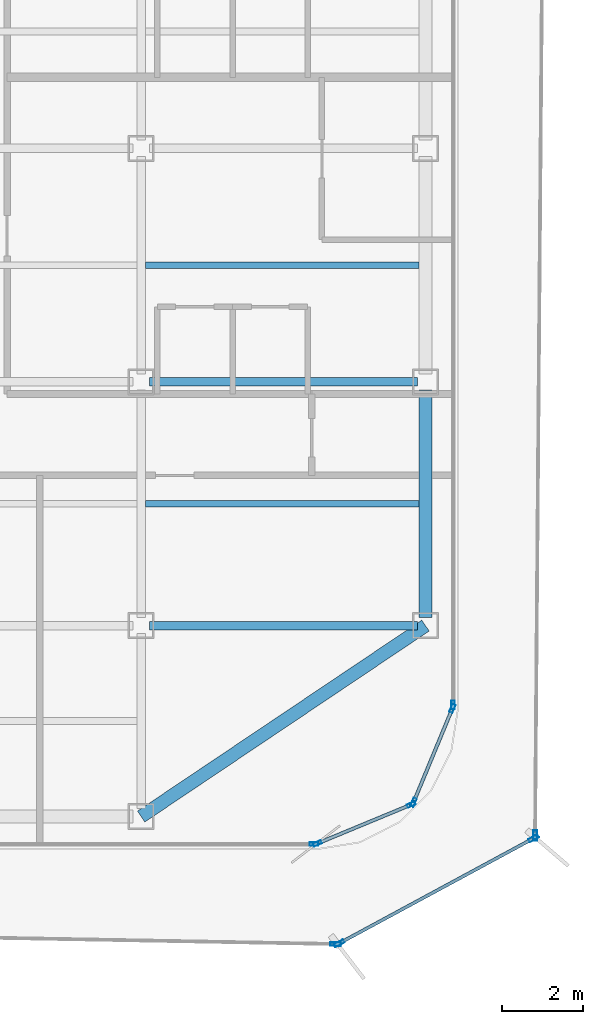
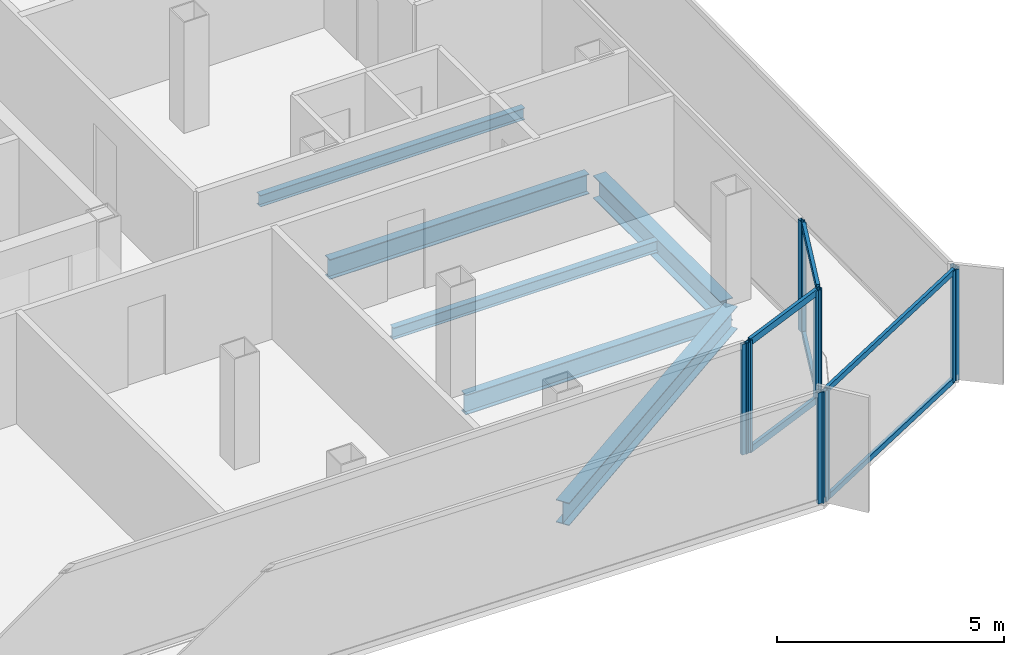
# One storey, part 4 of 15: 16 members, 6 beams, 7 elements without a shape of their own.
"""IFC4 building model written with IfcOpenShell, lengths in metres."""

from ifc_helpers import new_model, si_unit, direction, frame, origin, origin_2d, place, context, subcontext, project, spatial, hollow_rectangle, i_section, extrude, source, transform, mapped, material, layer, layer_set, material_profile, profile_set, type_object, element, aggregate, save


model = new_model("IFC4")

# Units and contexts
model_context = context("Model", 3, precision=1e-05, world=origin(), true_north=direction((0.0, 1.0)))
body_context = subcontext(model_context, "Body", "Model", "MODEL_VIEW")
ifc_project = project(units=[si_unit("LENGTHUNIT", "METRE"), si_unit("AREAUNIT", "SQUARE_METRE"), si_unit("VOLUMEUNIT", "CUBIC_METRE"), si_unit("PLANEANGLEUNIT", "RADIAN"), si_unit("MASSUNIT", "GRAM", prefix="KILO")], contexts=[model_context])

# Site, building, storey
site_placement = place(None, origin())
site = spatial("IfcSite", under=ifc_project, at=site_placement, CompositionType="ELEMENT")
building_placement = place(site_placement, origin())
building = spatial("IfcBuilding", under=site, at=building_placement, Name="Kolveth Station Tower", CompositionType="ELEMENT")
storey_placement = place(building_placement, frame((0.0, 0.0, 245.699951171875)))
storey = spatial("IfcBuildingStorey", under=building, at=storey_placement, Name="L70", CompositionType="ELEMENT", Elevation=245.699951171875)

# Beams
ifc_material_1 = material(Name="Steel S355", Category="steel")
ifc_material_profile_1 = material_profile(ifc_material_1, i_section(OverallWidth=0.323974609375, OverallDepth=0.611083984375, WebThickness=0.0126953125, FlangeThickness=0.01904296875, at=origin_2d()), Name="W610x155")
ifc_profile_set_1 = profile_set([ifc_material_profile_1], Name="Steel S355")
beam_type_1 = type_object("IfcBeamType", Name="Beam_SP2", PredefinedType="SPANDREL", material=ifc_profile_set_1)
shared_shape_1 = source(origin(), body_context, "Body", "SweptSolid", [
    extrude(i_section(OverallWidth=0.323974609375, OverallDepth=0.611083984375, WebThickness=0.0126953125, FlangeThickness=0.01904296875, at=origin_2d()), origin(), (0.0, 0.0, 1.0), 8.431396484375),
])
beam_1_placement = place(storey_placement, frame((34.0, 0.800048828125, -0.525390625), z_axis=(0.830223811004, 0.557430196206, 0.0), x_axis=(-0.557430196206, 0.830223811004, 0.0)))
element("IfcBeam", 1, at=beam_1_placement, inside=storey, type_object=beam_type_1, Name="L70 Corner Edge Girder BM-L70-CNR-SE", PredefinedType="SPANDREL", context=body_context, shape_type="MappedRepresentation", body=[
    mapped(shared_shape_1, transform((0.0, 0.0, 0.0), x_axis=(1.0, 0.0, 0.0), y_axis=(0.0, 1.0, 0.0), z_axis=(0.0, 0.0, 1.0), scale=1.0)),
])
shared_shape_2 = source(origin(), body_context, "Body", "SweptSolid", [
    extrude(i_section(OverallWidth=0.323974609375, OverallDepth=0.611083984375, WebThickness=0.0126953125, FlangeThickness=0.01904296875, at=origin_2d()), origin(), (0.0, 0.0, 1.0), 5.60009765625),
])
beam_2_placement = place(storey_placement, frame((41.0, 5.699951171875, -0.525390625), z_axis=(0.0, 1.0, 0.0), x_axis=(-1.0, 0.0, 0.0)))
element("IfcBeam", 2, at=beam_2_placement, inside=storey, type_object=beam_type_1, Name="L70 Perimeter Spandrel BM-L70-PE-1", PredefinedType="SPANDREL", context=body_context, shape_type="MappedRepresentation", body=[
    mapped(shared_shape_2, transform((0.0, 0.0, 0.0), x_axis=(1.0, 0.0, 0.0), y_axis=(0.0, 1.0, 0.0), z_axis=(0.0, 0.0, 1.0), scale=1.0)),
])
ifc_material_profile_2 = material_profile(ifc_material_1, i_section(OverallWidth=0.2099609375, OverallDepth=0.537109375, WebThickness=0.010986328125, FlangeThickness=0.017333984375, at=origin_2d()), Name="W530x101")
ifc_profile_set_2 = profile_set([ifc_material_profile_2], Name="Steel S355")
beam_type_2 = type_object("IfcBeamType", Name="Beam_B6", PredefinedType="BEAM", material=ifc_profile_set_2)
shared_shape_3 = source(origin(), body_context, "Body", "SweptSolid", [
    extrude(i_section(OverallWidth=0.2099609375, OverallDepth=0.537109375, WebThickness=0.010986328125, FlangeThickness=0.017333984375, at=origin_2d()), origin(), (0.0, 0.0, 1.0), 6.60009765625),
])
for number, where, z_axis, x_axis, name in (
    (3, (34.199951171875, 5.5, -0.488525390625), (1.0, 0.0, 0.0), (0.0, 1.0, 0.0), "L70 Primary Girder BM-L70-GY55-5"),
    (4, (34.199951171875, 11.5, -0.488525390625), (1.0, 0.0, 0.0), (0.0, 1.0, 0.0), "L70 Primary Girder BM-L70-GY115-5"),
):
    element("IfcBeam", number, at=place(storey_placement, frame(where, z_axis=z_axis, x_axis=x_axis)), inside=storey, type_object=beam_type_2, Name=name, PredefinedType="BEAM", context=body_context, shape_type="MappedRepresentation", body=[
        mapped(shared_shape_3, transform((0.0, 0.0, 0.0), x_axis=(1.0, 0.0, 0.0), y_axis=(0.0, 1.0, 0.0), z_axis=(0.0, 0.0, 1.0), scale=1.0)),
    ])
ifc_material_profile_3 = material_profile(ifc_material_1, i_section(OverallWidth=0.1650390625, OverallDepth=0.31005859375, WebThickness=0.005859375, FlangeThickness=0.009765625, at=origin_2d()), Name="W310x39")
ifc_profile_set_3 = profile_set([ifc_material_profile_3], Name="Steel S355")
beam_type_3 = type_object("IfcBeamType", Name="Beam_J3", PredefinedType="JOIST", material=ifc_profile_set_3)
shared_shape_4 = source(origin(), body_context, "Body", "SweptSolid", [
    extrude(i_section(OverallWidth=0.1650390625, OverallDepth=0.31005859375, WebThickness=0.005859375, FlangeThickness=0.009765625, at=origin_2d()), origin(), (0.0, 0.0, 1.0), 6.737060546875),
])
for number, where, z_axis, x_axis, name in (
    (5, (34.10302734375, 8.5, -0.375), (1.0, 0.0, 0.0), (0.0, 1.0, 0.0), "L70 Secondary Joist JST-L70-5-2"),
    (6, (34.10302734375, 14.375, -0.375), (1.0, 0.0, 0.0), (0.0, 1.0, 0.0), "L70 Secondary Joist JST-L70-5-3"),
):
    element("IfcBeam", number, at=place(storey_placement, frame(where, z_axis=z_axis, x_axis=x_axis)), inside=storey, type_object=beam_type_3, Name=name, PredefinedType="JOIST", context=body_context, shape_type="MappedRepresentation", body=[
        mapped(shared_shape_4, transform((0.0, 0.0, 0.0), x_axis=(1.0, 0.0, 0.0), y_axis=(0.0, 1.0, 0.0), z_axis=(0.0, 0.0, 1.0), scale=1.0)),
    ])

# Curtain wall, members
ifc_material_2 = material(Name="Black anodized aluminium 6063-T6 and dark solar glass", Category="aluminium")
ifc_layer_1 = layer(ifc_material_2, 0.159912109375)
ifc_layer_set_1 = layer_set([ifc_layer_1], Name="Black anodized aluminium 6063-T6 and dark solar glass")
curtain_wall_type_1 = type_object("IfcCurtainWallType", Name="OUTER SKIN CW-OS", PredefinedType="NOTDEFINED", material=ifc_layer_set_1)
curtain_wall_1_placement = place(storey_placement, origin())
curtain_wall_1 = element("IfcCurtainWall", 7, at=curtain_wall_1_placement, inside=storey, type_object=curtain_wall_type_1, Name="L70 Outer Ventilated Skin Curtain Wall 1", PredefinedType="NOTDEFINED")
ifc_material_3 = material(Name="Black anodized aluminium 6063-T6", Category="aluminium")
ifc_material_profile_4 = material_profile(ifc_material_3, hollow_rectangle(XDim=0.090087890625, YDim=0.260009765625, WallThickness=0.0048828125, at=origin_2d()), Name="ALU-90x260x5")
ifc_profile_set_4 = profile_set([ifc_material_profile_4], Name="Black anodized aluminium 6063-T6")
member_type_1 = type_object("IfcMemberType", Name="FIN MULLION ML-OS", PredefinedType="MULLION", material=ifc_profile_set_4)
shared_shape_5 = source(origin(), body_context, "Body", "SweptSolid", [
    extrude(hollow_rectangle(XDim=0.090087890625, YDim=0.260009765625, WallThickness=0.0048828125, at=origin_2d()), origin(), (0.0, 0.0, 1.0), 2.989990234375),
])
member_1_placement = place(storey_placement, frame((38.875244140625, -2.323486328125, 0.0), z_axis=(0.0, 0.0, 1.0), x_axis=(-0.475436112119, 0.879750250522, 0.0)))
member_1 = element("IfcMember", 8, at=member_1_placement, type_object=member_type_1, Name="CW-OS mullion 1", PredefinedType="MULLION", context=body_context, shape_type="MappedRepresentation", body=[
    mapped(shared_shape_5, transform((0.0, 0.0, 0.0), x_axis=(1.0, 0.0, 0.0), y_axis=(0.0, 1.0, 0.0), z_axis=(0.0, 0.0, 1.0), scale=1.0)),
])
member_2_placement = place(storey_placement, frame((43.662109375, 0.263671875, 0.0), z_axis=(0.0, 0.0, 1.0), x_axis=(-0.475436112119, 0.879750250522, 0.0)))
member_2 = element("IfcMember", 9, at=member_2_placement, type_object=member_type_1, Name="CW-OS mullion 2", PredefinedType="MULLION", context=body_context, shape_type="MappedRepresentation", body=[
    mapped(shared_shape_5, transform((0.0, 0.0, 0.0), x_axis=(1.0, 0.0, 0.0), y_axis=(0.0, 1.0, 0.0), z_axis=(0.0, 0.0, 1.0), scale=1.0)),
])

# Curtain wall, member
curtain_wall_2_placement = place(storey_placement, origin())
curtain_wall_2 = element("IfcCurtainWall", 10, at=curtain_wall_2_placement, inside=storey, type_object=curtain_wall_type_1, Name="L70 Outer Ventilated Skin Curtain Wall 2", PredefinedType="NOTDEFINED")
member_3_placement = place(storey_placement, frame((43.7021484375, 0.330078125, 0.0), z_axis=(0.0, 0.0, 1.0), x_axis=(-0.99996742566, 0.008071407501, 0.0)))
member_3 = element("IfcMember", 11, at=member_3_placement, type_object=member_type_1, Name="CW-OS mullion 1", PredefinedType="MULLION", context=body_context, shape_type="MappedRepresentation", body=[
    mapped(shared_shape_5, transform((0.0, 0.0, 0.0), x_axis=(1.0, 0.0, 0.0), y_axis=(0.0, 1.0, 0.0), z_axis=(0.0, 0.0, 1.0), scale=1.0)),
])
aggregate(curtain_wall_2, [member_3])

curtain_wall_3_placement = place(storey_placement, origin())
curtain_wall_3 = element("IfcCurtainWall", 12, at=curtain_wall_3_placement, inside=storey, type_object=curtain_wall_type_1, Name="L70 Outer Ventilated Skin Curtain Wall 8", PredefinedType="NOTDEFINED")
member_4_placement = place(storey_placement, frame((38.79052734375, -2.343994140625, 0.0), z_axis=(0.0, 0.0, 1.0), x_axis=(0.018287718225, 0.999832765697, 0.0)))
member_4 = element("IfcMember", 13, at=member_4_placement, type_object=member_type_1, Name="CW-OS mullion 2", PredefinedType="MULLION", context=body_context, shape_type="MappedRepresentation", body=[
    mapped(shared_shape_5, transform((0.0, 0.0, 0.0), x_axis=(1.0, 0.0, 0.0), y_axis=(0.0, 1.0, 0.0), z_axis=(0.0, 0.0, 1.0), scale=1.0)),
])
aggregate(curtain_wall_3, [member_4])

# Curtain wall, members
ifc_material_4 = material(Name="Aluminium 6063-T6 and triple low-E dark glass", Category="aluminium")
ifc_layer_2 = layer(ifc_material_4, 0.199951171875)
ifc_layer_set_2 = layer_set([ifc_layer_2], Name="Aluminium 6063-T6 and triple low-E dark glass")
curtain_wall_type_2 = type_object("IfcCurtainWallType", Name="CurtainWall_CW-Z3", PredefinedType="NOTDEFINED", material=ifc_layer_set_2)
curtain_wall_4_placement = place(storey_placement, origin())
curtain_wall_4 = element("IfcCurtainWall", 14, at=curtain_wall_4_placement, inside=storey, type_object=curtain_wall_type_2, Name="L70 Inner Thermal Curtain Wall 1", PredefinedType="NOTDEFINED")
ifc_material_profile_5 = material_profile(ifc_material_3, hollow_rectangle(XDim=0.0849609375, YDim=0.215087890625, WallThickness=0.0048828125, at=origin_2d()), Name="ALU-85x215x5")
ifc_profile_set_5 = profile_set([ifc_material_profile_5], Name="Black anodized aluminium 6063-T6")
member_type_2 = type_object("IfcMemberType", Name="Mullion_ML3", PredefinedType="MULLION", material=ifc_profile_set_5)
shared_shape_6 = source(origin(), body_context, "Body", "SweptSolid", [
    extrude(hollow_rectangle(XDim=0.0849609375, YDim=0.215087890625, WallThickness=0.0048828125, at=origin_2d()), origin(), (0.0, 0.0, 1.0), 2.97998046875),
])
member_5_placement = place(storey_placement, frame((38.33935546875, 0.13623046875, 0.0), z_axis=(0.0, 0.0, 1.0), x_axis=(-0.382693194181, 0.923875488975, 0.0)))
member_5 = element("IfcMember", 15, at=member_5_placement, type_object=member_type_2, Name="CW-Z3 mullion 1", PredefinedType="MULLION", context=body_context, shape_type="MappedRepresentation", body=[
    mapped(shared_shape_6, transform((0.0, 0.0, 0.0), x_axis=(1.0, 0.0, 0.0), y_axis=(0.0, 1.0, 0.0), z_axis=(0.0, 0.0, 1.0), scale=1.0)),
])
member_6_placement = place(storey_placement, frame((40.650634765625, 1.09375, 0.0), z_axis=(0.0, 0.0, 1.0), x_axis=(-0.382693194181, 0.923875488975, 0.0)))
member_6 = element("IfcMember", 16, at=member_6_placement, type_object=member_type_2, Name="CW-Z3 mullion 2", PredefinedType="MULLION", context=body_context, shape_type="MappedRepresentation", body=[
    mapped(shared_shape_6, transform((0.0, 0.0, 0.0), x_axis=(1.0, 0.0, 0.0), y_axis=(0.0, 1.0, 0.0), z_axis=(0.0, 0.0, 1.0), scale=1.0)),
])

curtain_wall_5_placement = place(storey_placement, origin())
curtain_wall_5 = element("IfcCurtainWall", 17, at=curtain_wall_5_placement, inside=storey, type_object=curtain_wall_type_2, Name="L70 Inner Thermal Curtain Wall 2", PredefinedType="NOTDEFINED")
member_7_placement = place(storey_placement, frame((40.706298828125, 1.149169921875, 0.0), z_axis=(0.0, 0.0, 1.0), x_axis=(-0.923875488975, 0.382693194181, 0.0)))
member_7 = element("IfcMember", 18, at=member_7_placement, type_object=member_type_2, Name="CW-Z3 mullion 1", PredefinedType="MULLION", context=body_context, shape_type="MappedRepresentation", body=[
    mapped(shared_shape_6, transform((0.0, 0.0, 0.0), x_axis=(1.0, 0.0, 0.0), y_axis=(0.0, 1.0, 0.0), z_axis=(0.0, 0.0, 1.0), scale=1.0)),
])
member_8_placement = place(storey_placement, frame((41.663818359375, 3.460693359375, 0.0), z_axis=(0.0, 0.0, 1.0), x_axis=(-0.923875488975, 0.382693194181, 0.0)))
member_8 = element("IfcMember", 19, at=member_8_placement, type_object=member_type_2, Name="CW-Z3 mullion 2", PredefinedType="MULLION", context=body_context, shape_type="MappedRepresentation", body=[
    mapped(shared_shape_6, transform((0.0, 0.0, 0.0), x_axis=(1.0, 0.0, 0.0), y_axis=(0.0, 1.0, 0.0), z_axis=(0.0, 0.0, 1.0), scale=1.0)),
])

# Curtain wall, member
curtain_wall_6_placement = place(storey_placement, origin())
curtain_wall_6 = element("IfcCurtainWall", 20, at=curtain_wall_6_placement, inside=storey, type_object=curtain_wall_type_2, Name="L70 Inner Thermal Curtain Wall 3", PredefinedType="NOTDEFINED")
member_9_placement = place(storey_placement, frame((41.679931640625, 3.54248046875, 0.0), z_axis=(0.0, 0.0, 1.0), x_axis=(-1.0, 0.0, 0.0)))
member_9 = element("IfcMember", 21, at=member_9_placement, type_object=member_type_2, Name="CW-Z3 mullion 1", PredefinedType="MULLION", context=body_context, shape_type="MappedRepresentation", body=[
    mapped(shared_shape_6, transform((0.0, 0.0, 0.0), x_axis=(1.0, 0.0, 0.0), y_axis=(0.0, 1.0, 0.0), z_axis=(0.0, 0.0, 1.0), scale=1.0)),
])
aggregate(curtain_wall_6, [member_9])

curtain_wall_7_placement = place(storey_placement, origin())
curtain_wall_7 = element("IfcCurtainWall", 22, at=curtain_wall_7_placement, inside=storey, type_object=curtain_wall_type_2, Name="L70 Inner Thermal Curtain Wall 12", PredefinedType="NOTDEFINED")
member_10_placement = place(storey_placement, frame((38.257568359375, 0.1201171875, 0.0), z_axis=(0.0, 0.0, 1.0), x_axis=(0.0, 1.0, 0.0)))
member_10 = element("IfcMember", 23, at=member_10_placement, type_object=member_type_2, Name="CW-Z3 mullion 2", PredefinedType="MULLION", context=body_context, shape_type="MappedRepresentation", body=[
    mapped(shared_shape_6, transform((0.0, 0.0, 0.0), x_axis=(1.0, 0.0, 0.0), y_axis=(0.0, 1.0, 0.0), z_axis=(0.0, 0.0, 1.0), scale=1.0)),
])
aggregate(curtain_wall_7, [member_10])

# Member
ifc_material_profile_6 = material_profile(ifc_material_3, hollow_rectangle(XDim=0.0849609375, YDim=0.179931640625, WallThickness=0.0048828125, at=origin_2d()), Name="ALU-85x180x5")
ifc_profile_set_6 = profile_set([ifc_material_profile_6], Name="Black anodized aluminium 6063-T6")
member_type_3 = type_object("IfcMemberType", Name="Transom_TR3", PredefinedType="USERDEFINED", material=ifc_profile_set_6)
shared_shape_7 = source(origin(), body_context, "Body", "SweptSolid", [
    extrude(hollow_rectangle(XDim=0.0849609375, YDim=0.179931640625, WallThickness=0.0048828125, at=origin_2d()), origin(), (0.0, 0.0, 1.0), 2.4169921875),
])
member_11_placement = place(storey_placement, frame((38.37841796875, 0.152587890625, 0.04248046875), z_axis=(0.923908507952, 0.382613471971, 0.0), x_axis=(-0.382613471971, 0.923908507952, 0.0)))
member_11 = element("IfcMember", 24, at=member_11_placement, type_object=member_type_3, Name="CW-Z3 transom 1.1", ObjectType="TRANSOM", PredefinedType="USERDEFINED", context=body_context, shape_type="MappedRepresentation", body=[
    mapped(shared_shape_7, transform((0.0, 0.0, 0.0), x_axis=(1.0, 0.0, 0.0), y_axis=(0.0, 1.0, 0.0), z_axis=(0.0, 0.0, 1.0), scale=1.0)),
])

member_12_placement = place(storey_placement, frame((38.37841796875, 0.152587890625, 2.9375), z_axis=(0.923908507952, 0.382613471971, 0.0), x_axis=(-0.382613471971, 0.923908507952, 0.0)))
member_12 = element("IfcMember", 25, at=member_12_placement, type_object=member_type_3, Name="CW-Z3 transom 1.2", ObjectType="TRANSOM", PredefinedType="USERDEFINED", context=body_context, shape_type="MappedRepresentation", body=[
    mapped(shared_shape_7, transform((0.0, 0.0, 0.0), x_axis=(1.0, 0.0, 0.0), y_axis=(0.0, 1.0, 0.0), z_axis=(0.0, 0.0, 1.0), scale=1.0)),
])

aggregate(curtain_wall_4, [member_5, member_6, member_11, member_12])

member_13_placement = place(storey_placement, frame((40.722412109375, 1.1884765625, 0.04248046875), z_axis=(0.382735401206, 0.9238580046, 0.0), x_axis=(-0.9238580046, 0.382735401206, 0.0)))
member_13 = element("IfcMember", 26, at=member_13_placement, type_object=member_type_3, Name="CW-Z3 transom 1.1", ObjectType="TRANSOM", PredefinedType="USERDEFINED", context=body_context, shape_type="MappedRepresentation", body=[
    mapped(shared_shape_7, transform((0.0, 0.0, 0.0), x_axis=(1.0, 0.0, 0.0), y_axis=(0.0, 1.0, 0.0), z_axis=(0.0, 0.0, 1.0), scale=1.0)),
])

member_14_placement = place(storey_placement, frame((40.722412109375, 1.1884765625, 2.9375), z_axis=(0.382735401206, 0.9238580046, 0.0), x_axis=(-0.9238580046, 0.382735401206, 0.0)))
member_14 = element("IfcMember", 27, at=member_14_placement, type_object=member_type_3, Name="CW-Z3 transom 1.2", ObjectType="TRANSOM", PredefinedType="USERDEFINED", context=body_context, shape_type="MappedRepresentation", body=[
    mapped(shared_shape_7, transform((0.0, 0.0, 0.0), x_axis=(1.0, 0.0, 0.0), y_axis=(0.0, 1.0, 0.0), z_axis=(0.0, 0.0, 1.0), scale=1.0)),
])

aggregate(curtain_wall_5, [member_7, member_8, member_13, member_14])

ifc_material_profile_7 = material_profile(ifc_material_3, hollow_rectangle(XDim=0.080078125, YDim=0.14990234375, WallThickness=0.0048828125, at=origin_2d()), Name="ALU-80x150x5")
ifc_profile_set_7 = profile_set([ifc_material_profile_7], Name="Black anodized aluminium 6063-T6")
member_type_4 = type_object("IfcMemberType", Name="Transom_TR-OS", PredefinedType="USERDEFINED", material=ifc_profile_set_7)
shared_shape_8 = source(origin(), body_context, "Body", "SweptSolid", [
    extrude(hollow_rectangle(XDim=0.080078125, YDim=0.14990234375, WallThickness=0.0048828125, at=origin_2d()), origin(), (0.0, 0.0, 1.0), 5.351318359375),
])
member_15_placement = place(storey_placement, frame((38.914794921875, -2.302001953125, 0.0400390625), z_axis=(0.87974932192, 0.475437830406, 0.0), x_axis=(-0.475437830406, 0.87974932192, 0.0)))
member_15 = element("IfcMember", 28, at=member_15_placement, type_object=member_type_4, Name="CW-OS transom 1.1", ObjectType="TRANSOM", PredefinedType="USERDEFINED", context=body_context, shape_type="MappedRepresentation", body=[
    mapped(shared_shape_8, transform((0.0, 0.0, 0.0), x_axis=(1.0, 0.0, 0.0), y_axis=(0.0, 1.0, 0.0), z_axis=(0.0, 0.0, 1.0), scale=1.0)),
])

member_16_placement = place(storey_placement, frame((38.914794921875, -2.302001953125, 2.949951171875), z_axis=(0.87974932192, 0.475437830406, 0.0), x_axis=(-0.475437830406, 0.87974932192, 0.0)))
member_16 = element("IfcMember", 29, at=member_16_placement, type_object=member_type_4, Name="CW-OS transom 1.2", ObjectType="TRANSOM", PredefinedType="USERDEFINED", context=body_context, shape_type="MappedRepresentation", body=[
    mapped(shared_shape_8, transform((0.0, 0.0, 0.0), x_axis=(1.0, 0.0, 0.0), y_axis=(0.0, 1.0, 0.0), z_axis=(0.0, 0.0, 1.0), scale=1.0)),
])

aggregate(curtain_wall_1, [member_1, member_2, member_15, member_16])

save(model, "model.ifc")
